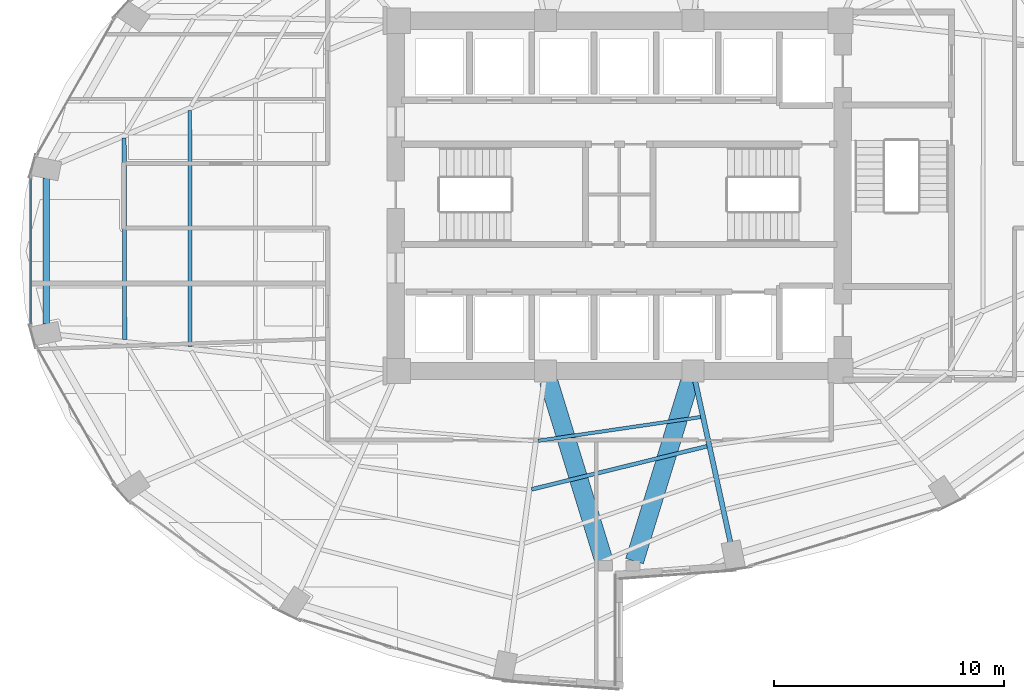
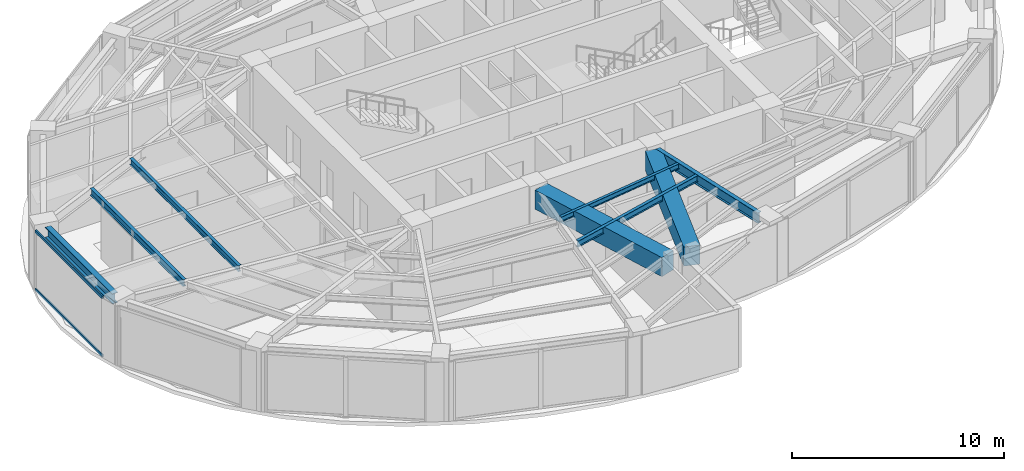
# One storey, part 7 of 23: 8 beams, 2 members, 1 element without a shape of its own.
"""IFC4 building model written with IfcOpenShell, lengths in metres."""

from ifc_helpers import new_model, si_unit, direction, frame, origin, origin_2d, place, context, subcontext, project, spatial, rectangle, hollow_rectangle, i_section, extrude, material, layer, layer_set, material_profile, profile_set, type_object, element, aggregate, save


model = new_model("IFC4")

# Units and contexts
model_context = context("Model", 3, precision=1e-05, world=origin(), true_north=direction((0.0, 1.0)))
body_context = subcontext(model_context, "Body", "Model", "MODEL_VIEW")
ifc_project = project(units=[si_unit("LENGTHUNIT", "METRE"), si_unit("AREAUNIT", "SQUARE_METRE"), si_unit("VOLUMEUNIT", "CUBIC_METRE"), si_unit("PLANEANGLEUNIT", "RADIAN"), si_unit("MASSUNIT", "GRAM", prefix="KILO")], contexts=[model_context])

# Site, building, storey
site_placement = place(None, origin())
site = spatial("IfcSite", under=ifc_project, at=site_placement, CompositionType="ELEMENT")
building_placement = place(site_placement, origin())
building = spatial("IfcBuilding", under=site, at=building_placement, Name="Lazwardi Medical Tower", CompositionType="ELEMENT")
storey_placement = place(building_placement, frame((0.0, 0.0, 92.68798828125)))
storey = spatial("IfcBuildingStorey", under=building, at=storey_placement, Name="L23", CompositionType="ELEMENT", Elevation=92.68798828125)

# Beams
ifc_material_1 = material(Name="Concrete C70/85", Category="concrete")
ifc_material_profile_1 = material_profile(ifc_material_1, rectangle(XDim=0.800048828125, YDim=1.10009765625, at=origin_2d()), Name="RC 800x1100")
ifc_profile_set_1 = profile_set([ifc_material_profile_1], Name="Concrete C70/85")
beam_type_1 = type_object("IfcBeamType", Name="BM-CB-RC1", PredefinedType="LINTEL", material=ifc_profile_set_1)
for number, where, z_axis, x_axis, name in (
    (1, (32.935302734375, 19.960205078125, 2.8779296875), (0.294073251002, -0.955782884888, 0.0), (0.955782884888, 0.294073251002, 0.0), "Core coupling lintel CB-01 PL3 L23"),
    (2, (39.064697265625, 19.960205078125, 2.8779296875), (-0.294073251002, -0.955782884888, 0.0), (0.955782884888, -0.294073251002, 0.0), "Core coupling lintel CB-01 PL4 L23"),
):
    element("IfcBeam", number, at=place(storey_placement, frame(where, z_axis=z_axis, x_axis=x_axis)), inside=storey, type_object=beam_type_1, Name=name, PredefinedType="LINTEL", context=body_context, shape_type="SweptSolid", body=[
        extrude(rectangle(XDim=0.800048828125, YDim=1.10009765625, at=origin_2d()), origin(), (0.0, 0.0, 1.0), 8.1708984375),
    ])
ifc_material_2 = material(Name="Steel S355", Category="steel")
ifc_material_profile_2 = material_profile(ifc_material_2, i_section(OverallWidth=0.300048828125, OverallDepth=0.60009765625, WebThickness=0.015380859375, FlangeThickness=0.030029296875, at=origin_2d()), Name="HEB 600")
ifc_profile_set_2 = profile_set([ifc_material_profile_2], Name="Steel S355")
beam_type_2 = type_object("IfcBeamType", Name="BM-RB-Z2", PredefinedType="BEAM", material=ifc_profile_set_2)
beam_1_placement = place(storey_placement, frame((11.13720703125, 28.77001953125, 3.1279296875), z_axis=(0.0, -1.0, 0.0), x_axis=(1.0, 0.0, 0.0)))
element("IfcBeam", 3, at=beam_1_placement, inside=storey, type_object=beam_type_2, Name="Ring beam RB-03 B12 L23", PredefinedType="BEAM", context=body_context, shape_type="SweptSolid", body=[
    extrude(i_section(OverallWidth=0.300048828125, OverallDepth=0.60009765625, WebThickness=0.015380859375, FlangeThickness=0.030029296875, at=origin_2d()), origin(), (0.0, 0.0, 1.0), 6.33984375),
])
ifc_material_profile_3 = material_profile(ifc_material_2, i_section(OverallWidth=0.219970703125, OverallDepth=0.60009765625, WebThickness=0.011962890625, FlangeThickness=0.01904296875, at=origin_2d()), Name="IPE 600")
ifc_profile_set_3 = profile_set([ifc_material_profile_3], Name="Steel S355")
beam_type_3 = type_object("IfcBeamType", Name="BM-RG-W1", PredefinedType="BEAM", material=ifc_profile_set_3)
beam_2_placement = place(storey_placement, frame((40.82177734375, 12.96923828125, 3.1279296875), z_axis=(-0.213228150441, 0.977002433907, 0.0), x_axis=(-0.977002433907, -0.213228150441, 0.0)))
element("IfcBeam", 4, at=beam_2_placement, inside=storey, type_object=beam_type_3, Name="Radial girder RG-02 R01 L23", PredefinedType="BEAM", context=body_context, shape_type="SweptSolid", body=[
    extrude(i_section(OverallWidth=0.219970703125, OverallDepth=0.60009765625, WebThickness=0.011962890625, FlangeThickness=0.01904296875, at=origin_2d()), origin(), (0.0, 0.0, 1.0), 7.145751953125),
])
ifc_material_profile_4 = material_profile(ifc_material_2, i_section(OverallWidth=0.179931640625, OverallDepth=0.39990234375, WebThickness=0.008544921875, FlangeThickness=0.013427734375, at=origin_2d()), Name="IPE 400")
ifc_profile_set_4 = profile_set([ifc_material_profile_4], Name="Steel S355")
beam_type_4 = type_object("IfcBeamType", Name="BM-SJ-01", PredefinedType="JOIST", material=ifc_profile_set_4)
beam_3_placement = place(storey_placement, frame((14.51904296875, 30.497314453125, 3.22802734375), z_axis=(0.002907126978, -0.999995774297, 0.0), x_axis=(0.999995774297, 0.002907126978, 0.0)))
element("IfcBeam", 5, at=beam_3_placement, inside=storey, type_object=beam_type_4, Name="Secondary joist SJ-01 R1 B12 L23", PredefinedType="JOIST", context=body_context, shape_type="SweptSolid", body=[
    extrude(i_section(OverallWidth=0.179931640625, OverallDepth=0.39990234375, WebThickness=0.008544921875, FlangeThickness=0.013427734375, at=origin_2d()), origin(), (0.0, 0.0, 1.0), 8.73388671875),
])
ifc_material_profile_5 = material_profile(ifc_material_2, i_section(OverallWidth=0.169921875, OverallDepth=0.360107421875, WebThickness=0.008056640625, FlangeThickness=0.0126953125, at=origin_2d()), Name="IPE 360")
ifc_profile_set_5 = profile_set([ifc_material_profile_5], Name="Steel S355")
beam_type_5 = type_object("IfcBeamType", Name="BM-SJ-02", PredefinedType="JOIST", material=ifc_profile_set_5)
beam_4_placement = place(storey_placement, frame((17.365966796875, 31.69482421875, 3.248046875), z_axis=(0.000930565095, -0.999999567024, 0.0), x_axis=(0.999999567024, 0.000930565095, 0.0)))
element("IfcBeam", 6, at=beam_4_placement, inside=storey, type_object=beam_type_5, Name="Secondary joist SJ-02 R2 B12 L23", PredefinedType="JOIST", context=body_context, shape_type="SweptSolid", body=[
    extrude(i_section(OverallWidth=0.169921875, OverallDepth=0.360107421875, WebThickness=0.008056640625, FlangeThickness=0.0126953125, at=origin_2d()), origin(), (0.0, 0.0, 1.0), 10.23193359375),
])
beam_5_placement = place(storey_placement, frame((32.19775390625, 15.262451171875, 3.248046875), z_axis=(0.97107737879, 0.238764998276, 0.0), x_axis=(-0.238764998276, 0.97107737879, 0.0)))
element("IfcBeam", 7, at=beam_5_placement, inside=storey, type_object=beam_type_5, Name="Secondary joist SJ-02 R3 B16 L23", PredefinedType="JOIST", context=body_context, shape_type="SweptSolid", body=[
    extrude(i_section(OverallWidth=0.169921875, OverallDepth=0.360107421875, WebThickness=0.008056640625, FlangeThickness=0.0126953125, at=origin_2d()), origin(), (0.0, 0.0, 1.0), 7.83447265625),
])
ifc_material_profile_6 = material_profile(ifc_material_2, i_section(OverallWidth=0.14990234375, OverallDepth=0.300048828125, WebThickness=0.007080078125, FlangeThickness=0.0107421875, at=origin_2d()), Name="IPE 300")
ifc_profile_set_6 = profile_set([ifc_material_profile_6], Name="Steel S355")
beam_type_6 = type_object("IfcBeamType", Name="BM-SJ-03", PredefinedType="JOIST", material=ifc_profile_set_6)
beam_6_placement = place(storey_placement, frame((32.488525390625, 17.37060546875, 3.278076171875), z_axis=(0.98949221477, 0.144586157392, 0.0), x_axis=(-0.144586157392, 0.98949221477, 0.0)))
element("IfcBeam", 8, at=beam_6_placement, inside=storey, type_object=beam_type_6, Name="Secondary joist SJ-03 R4 B16 L23", PredefinedType="JOIST", context=body_context, shape_type="SweptSolid", body=[
    extrude(i_section(OverallWidth=0.14990234375, OverallDepth=0.300048828125, WebThickness=0.007080078125, FlangeThickness=0.0107421875, at=origin_2d()), origin(), (0.0, 0.0, 1.0), 7.115478515625),
])

# Curtain wall, members
ifc_material_3 = material(Name="Anodised bronze aluminium and solar control glazing", Category="aluminium")
ifc_layer = layer(ifc_material_3, 0.195068359375)
ifc_layer_set = layer_set([ifc_layer], Name="Anodised bronze aluminium and solar control glazing")
curtain_wall_type = type_object("IfcCurtainWallType", Name="CW-SYS-03", PredefinedType="NOTDEFINED", material=ifc_layer_set)
curtain_wall_placement = place(storey_placement, origin())
curtain_wall = element("IfcCurtainWall", 9, at=curtain_wall_placement, inside=storey, type_object=curtain_wall_type, Name="L23 Unitised bronze curtain wall CW-03", PredefinedType="NOTDEFINED")
ifc_material_4 = material(Name="Anodised bronze aluminium", Category="aluminium")
ifc_material_profile_7 = material_profile(ifc_material_4, hollow_rectangle(XDim=0.074951171875, YDim=0.159912109375, WallThickness=0.00390625, at=origin_2d()), Name="ALU-TRANSOM 160x75x4")
ifc_profile_set_7 = profile_set([ifc_material_profile_7], Name="Anodised bronze aluminium")
member_type = type_object("IfcMemberType", Name="CW-TRN-01", PredefinedType="USERDEFINED", material=ifc_profile_set_7)
member_1_placement = place(storey_placement, frame((10.471923828125, 28.760009765625, 0.03759765625), z_axis=(0.0, -1.0, 0.0), x_axis=(1.0, 0.0, 0.0)))
member_1 = element("IfcMember", 10, at=member_1_placement, type_object=member_type, Name="CW-03 transom 1.1", ObjectType="TRANSOM", PredefinedType="USERDEFINED", context=body_context, shape_type="SweptSolid", body=[
    extrude(hollow_rectangle(XDim=0.074951171875, YDim=0.159912109375, WallThickness=0.00390625, at=origin_2d()), origin(), (0.0, 0.0, 1.0), 6.31982421875),
])
member_2_placement = place(storey_placement, frame((10.471923828125, 28.760009765625, 3.390625), z_axis=(0.0, -1.0, 0.0), x_axis=(1.0, 0.0, 0.0)))
member_2 = element("IfcMember", 11, at=member_2_placement, type_object=member_type, Name="CW-03 transom 1.2", ObjectType="TRANSOM", PredefinedType="USERDEFINED", context=body_context, shape_type="SweptSolid", body=[
    extrude(hollow_rectangle(XDim=0.074951171875, YDim=0.159912109375, WallThickness=0.00390625, at=origin_2d()), origin(), (0.0, 0.0, 1.0), 6.31982421875),
])
aggregate(curtain_wall, [member_1, member_2])

save(model, "model.ifc")
